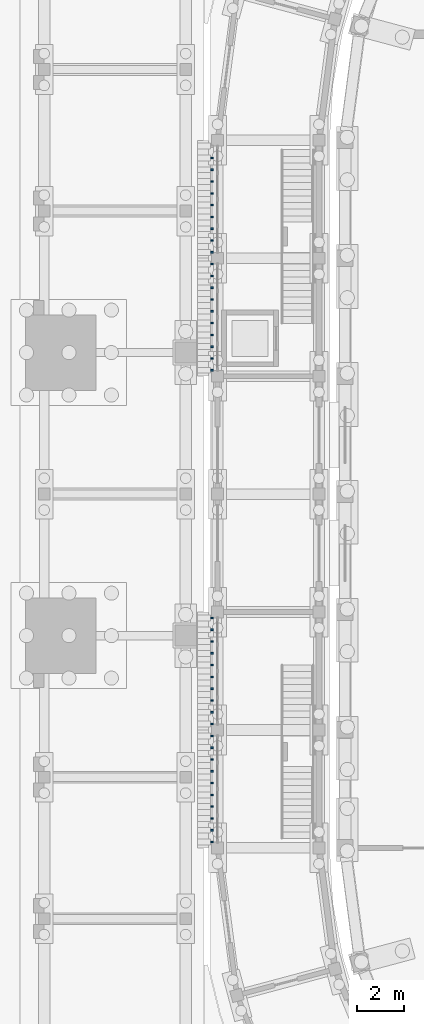
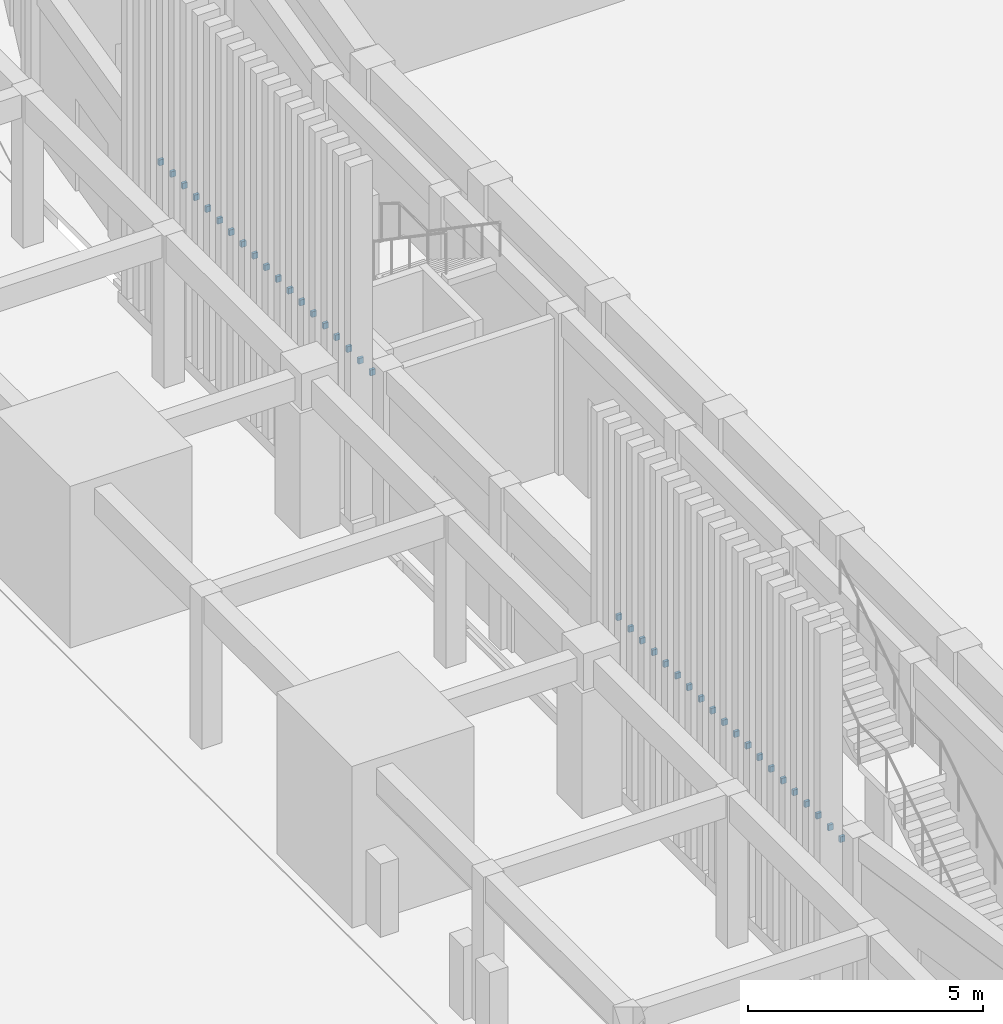
# One storey, part 84 of 112: 39 discrete accessories.
"""IFC4 building model written with IfcOpenShell, lengths in metres."""

from ifc_helpers import new_model, si_unit, direction, frame, origin, origin_2d, place, context, subcontext, project, spatial, rectangle, extrude, material, type_object, element, save


model = new_model("IFC4")

# Units and contexts
model_context = context("Model", 3, precision=1e-05, world=origin(), true_north=direction((0.0, 1.0)))
body_context = subcontext(model_context, "Body", "Model", "MODEL_VIEW")
ifc_project = project(units=[si_unit("LENGTHUNIT", "METRE"), si_unit("AREAUNIT", "SQUARE_METRE"), si_unit("VOLUMEUNIT", "CUBIC_METRE"), si_unit("PLANEANGLEUNIT", "RADIAN"), si_unit("MASSUNIT", "GRAM", prefix="KILO")], contexts=[model_context])

# Site, building, storey
site_placement = place(None, origin())
site = spatial("IfcSite", under=ifc_project, at=site_placement, CompositionType="ELEMENT")
building_placement = place(site_placement, origin())
building = spatial("IfcBuilding", under=site, at=building_placement, Name="Wasatch Bagh Community Centre", CompositionType="ELEMENT")
storey_placement = place(building_placement, origin())
storey = spatial("IfcBuildingStorey", under=building, at=storey_placement, Name="L00", CompositionType="ELEMENT", Elevation=0.0)

# Discrete accessories
ifc_material = material(Name="ASTM A36 steel", Category="steel")
discrete_accessory_type = type_object("IfcDiscreteAccessoryType", Name="Drum fin bracket", PredefinedType="BRACKET", material=ifc_material)
for number, where, z_axis, x_axis, name in (
    (1, (11.614990234375, 64.25, 3.824951171875), (0.0, 0.0, 1.0), (0.0, -1.0, 0.0), "Fin bracket 31.2.1"),
    (2, (11.614990234375, 63.75, 3.824951171875), (0.0, 0.0, 1.0), (0.0, -1.0, 0.0), "Fin bracket 31.3.1"),
    (3, (11.614990234375, 63.25, 3.824951171875), (0.0, 0.0, 1.0), (0.0, -1.0, 0.0), "Fin bracket 31.4.1"),
    (4, (11.614990234375, 62.75, 3.824951171875), (0.0, 0.0, 1.0), (0.0, -1.0, 0.0), "Fin bracket 31.5.1"),
    (5, (11.614990234375, 62.25, 3.824951171875), (0.0, 0.0, 1.0), (0.0, -1.0, 0.0), "Fin bracket 31.6.1"),
    (6, (11.614990234375, 61.75, 3.824951171875), (0.0, 0.0, 1.0), (0.0, -1.0, 0.0), "Fin bracket 31.7.1"),
    (7, (11.614990234375, 61.25, 3.824951171875), (0.0, 0.0, 1.0), (0.0, -1.0, 0.0), "Fin bracket 31.8.1"),
    (8, (11.614990234375, 60.75, 3.824951171875), (0.0, 0.0, 1.0), (0.0, -1.0, 0.0), "Fin bracket 31.9.1"),
    (9, (11.614990234375, 60.25, 3.824951171875), (0.0, 0.0, 1.0), (0.0, -1.0, 0.0), "Fin bracket 31.10.1"),
    (10, (11.614990234375, 59.75, 3.824951171875), (0.0, 0.0, 1.0), (0.0, -1.0, 0.0), "Fin bracket 32.1.1"),
    (11, (11.614990234375, 59.25, 3.824951171875), (0.0, 0.0, 1.0), (0.0, -1.0, 0.0), "Fin bracket 32.2.1"),
    (12, (11.614990234375, 58.75, 3.824951171875), (0.0, 0.0, 1.0), (0.0, -1.0, 0.0), "Fin bracket 32.3.1"),
    (13, (11.614990234375, 58.25, 3.824951171875), (0.0, 0.0, 1.0), (0.0, -1.0, 0.0), "Fin bracket 32.4.1"),
    (14, (11.614990234375, 57.75, 3.824951171875), (0.0, 0.0, 1.0), (0.0, -1.0, 0.0), "Fin bracket 32.5.1"),
    (15, (11.614990234375, 57.25, 3.824951171875), (0.0, 0.0, 1.0), (0.0, -1.0, 0.0), "Fin bracket 32.6.1"),
    (16, (11.614990234375, 56.75, 3.824951171875), (0.0, 0.0, 1.0), (0.0, -1.0, 0.0), "Fin bracket 32.7.1"),
    (17, (11.614990234375, 56.25, 3.824951171875), (0.0, 0.0, 1.0), (0.0, -1.0, 0.0), "Fin bracket 32.8.1"),
    (18, (11.614990234375, 55.75, 3.824951171875), (0.0, 0.0, 1.0), (0.0, -1.0, 0.0), "Fin bracket 32.9.1"),
    (19, (11.614990234375, 55.25, 3.824951171875), (0.0, 0.0, 1.0), (0.0, -1.0, 0.0), "Fin bracket 32.10.1"),
    (20, (11.614990234375, 44.75, 3.824951171875), (0.0, 0.0, 1.0), (0.0, -1.0, 0.0), "Fin bracket 35.1.1"),
    (21, (11.614990234375, 44.25, 3.824951171875), (0.0, 0.0, 1.0), (0.0, -1.0, 0.0), "Fin bracket 35.2.1"),
    (22, (11.614990234375, 43.75, 3.824951171875), (0.0, 0.0, 1.0), (0.0, -1.0, 0.0), "Fin bracket 35.3.1"),
    (23, (11.614990234375, 43.25, 3.824951171875), (0.0, 0.0, 1.0), (0.0, -1.0, 0.0), "Fin bracket 35.4.1"),
    (24, (11.614990234375, 42.75, 3.824951171875), (0.0, 0.0, 1.0), (0.0, -1.0, 0.0), "Fin bracket 35.5.1"),
    (25, (11.614990234375, 42.25, 3.824951171875), (0.0, 0.0, 1.0), (0.0, -1.0, 0.0), "Fin bracket 35.6.1"),
    (26, (11.614990234375, 41.75, 3.824951171875), (0.0, 0.0, 1.0), (0.0, -1.0, 0.0), "Fin bracket 35.7.1"),
    (27, (11.614990234375, 41.25, 3.824951171875), (0.0, 0.0, 1.0), (0.0, -1.0, 0.0), "Fin bracket 35.8.1"),
    (28, (11.614990234375, 40.75, 3.824951171875), (0.0, 0.0, 1.0), (0.0, -1.0, 0.0), "Fin bracket 35.9.1"),
    (29, (11.614990234375, 40.25, 3.824951171875), (0.0, 0.0, 1.0), (0.0, -1.0, 0.0), "Fin bracket 35.10.1"),
    (30, (11.614990234375, 39.75, 3.824951171875), (0.0, 0.0, 1.0), (0.0, -1.0, 0.0), "Fin bracket 36.1.1"),
    (31, (11.614990234375, 39.25, 3.824951171875), (0.0, 0.0, 1.0), (0.0, -1.0, 0.0), "Fin bracket 36.2.1"),
    (32, (11.614990234375, 38.75, 3.824951171875), (0.0, 0.0, 1.0), (0.0, -1.0, 0.0), "Fin bracket 36.3.1"),
    (33, (11.614990234375, 38.25, 3.824951171875), (0.0, 0.0, 1.0), (0.0, -1.0, 0.0), "Fin bracket 36.4.1"),
    (34, (11.614990234375, 37.75, 3.824951171875), (0.0, 0.0, 1.0), (0.0, -1.0, 0.0), "Fin bracket 36.5.1"),
    (35, (11.614990234375, 37.25, 3.824951171875), (0.0, 0.0, 1.0), (0.0, -1.0, 0.0), "Fin bracket 36.6.1"),
    (36, (11.614990234375, 36.75, 3.824951171875), (0.0, 0.0, 1.0), (0.0, -1.0, 0.0), "Fin bracket 36.7.1"),
    (37, (11.614990234375, 36.25, 3.824951171875), (0.0, 0.0, 1.0), (0.0, -1.0, 0.0), "Fin bracket 36.8.1"),
    (38, (11.614990234375, 35.75, 3.824951171875), (0.0, 0.0, 1.0), (0.0, -1.0, 0.0), "Fin bracket 36.9.1"),
    (39, (11.614990234375, 35.25, 3.824951171875), (0.0, 0.0, 1.0), (0.0, -1.0, 0.0), "Fin bracket 36.10.1"),
):
    element("IfcDiscreteAccessory", number, at=place(storey_placement, frame(where, z_axis=z_axis, x_axis=x_axis)), inside=storey, type_object=discrete_accessory_type, Name=name, PredefinedType="BRACKET", context=body_context, shape_type="SweptSolid", body=[
        extrude(rectangle(XDim=0.070068359375, YDim=0.1201171875, at=origin_2d()), origin(), (0.0, 0.0, 1.0), 0.14990234375),
    ])

save(model, "model.ifc")
